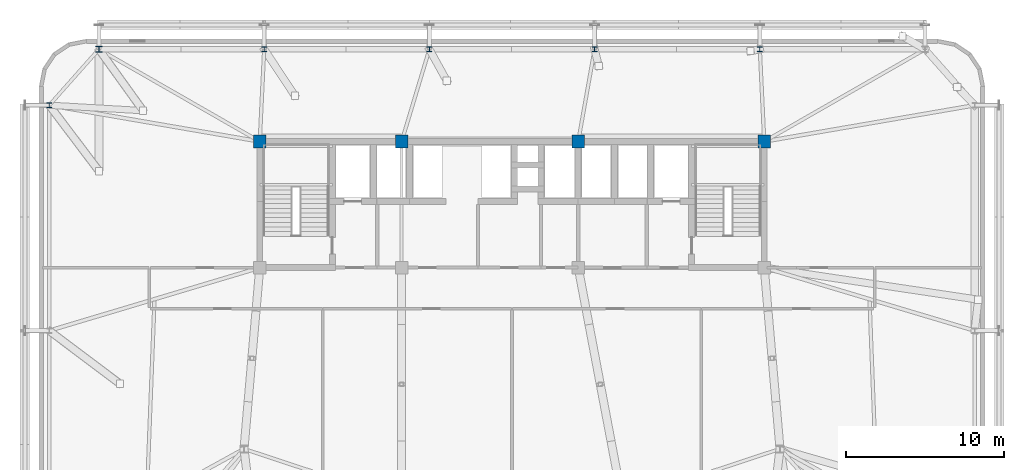
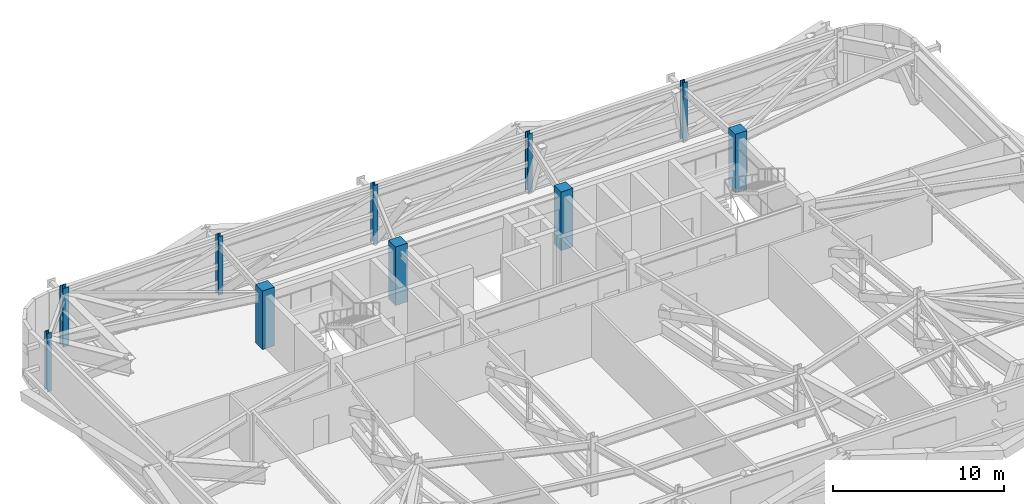
# One storey, part 3 of 24: 10 columns.
"""IFC4 building model written with IfcOpenShell, lengths in metres."""

from ifc_helpers import new_model, si_unit, direction, frame, origin, origin_2d, place, context, subcontext, project, spatial, rectangle, i_section, extrude, source, transform, mapped, material, material_profile, profile_set, type_object, element, save


model = new_model("IFC4")

# Units and contexts
model_context = context("Model", 3, precision=1e-05, world=origin(), true_north=direction((0.0, 1.0)))
body_context = subcontext(model_context, "Body", "Model", "MODEL_VIEW")
ifc_project = project(units=[si_unit("LENGTHUNIT", "METRE"), si_unit("AREAUNIT", "SQUARE_METRE"), si_unit("VOLUMEUNIT", "CUBIC_METRE"), si_unit("PLANEANGLEUNIT", "RADIAN"), si_unit("MASSUNIT", "GRAM", prefix="KILO")], contexts=[model_context])

# Site, building, storey
site_placement = place(None, origin())
site = spatial("IfcSite", under=ifc_project, at=site_placement, CompositionType="ELEMENT")
building_placement = place(site_placement, origin())
building = spatial("IfcBuilding", under=site, at=building_placement, Name="Taldren Reach Tower", CompositionType="ELEMENT")
storey_placement = place(building_placement, frame((0.0, 0.0, 60.89990234375)))
storey = spatial("IfcBuildingStorey", under=building, at=storey_placement, Name="L18", CompositionType="ELEMENT", Elevation=60.89990234375)

# Columns
ifc_material_1 = material(Name="Concrete S65 (65 MPa)", Category="concrete")
ifc_material_profile_1 = material_profile(ifc_material_1, rectangle(XDim=0.800048828125, YDim=0.800048828125, at=origin_2d()), Name="RC-800x800")
ifc_profile_set_1 = profile_set([ifc_material_profile_1], Name="Concrete S65 (65 MPa)")
column_type_1 = type_object("IfcColumnType", Name="COL-RC800", PredefinedType="COLUMN", material=ifc_profile_set_1)
shared_shape_1 = source(origin(), body_context, "Body", "SweptSolid", [
    extrude(rectangle(XDim=0.800048828125, YDim=0.800048828125, at=origin_2d()), origin(), (0.0, 0.0, 1.0), 4.2001953125),
])
for number, where, z_axis, x_axis, name in (
    (1, (19.0, 32.0, 0.0), (0.0, 0.0, 1.0), (1.0, 0.0, 0.0), "Mega column MC-C5 L18"),
    (2, (28.0, 32.0, 0.0), (0.0, 0.0, 1.0), (1.0, 0.0, 0.0), "Mega column MC-C6 L18"),
    (3, (39.199951171875, 32.0, 0.0), (0.0, 0.0, 1.0), (1.0, 0.0, 0.0), "Mega column MC-C7 L18"),
    (4, (51.0, 32.0, 0.0), (0.0, 0.0, 1.0), (1.0, 0.0, 0.0), "Mega column MC-C8 L18"),
):
    element("IfcColumn", number, at=place(storey_placement, frame(where, z_axis=z_axis, x_axis=x_axis)), inside=storey, type_object=column_type_1, Name=name, PredefinedType="COLUMN", context=body_context, shape_type="MappedRepresentation", body=[
        mapped(shared_shape_1, transform((0.0, 0.0, 0.0), scale=1.0)),
    ])
ifc_material_2 = material(Name="Steel Gr 350 (350PLUS)", Category="steel")
ifc_material_profile_2 = material_profile(ifc_material_2, i_section(OverallWidth=0.39990234375, OverallDepth=0.39599609375, WebThickness=0.02197265625, FlangeThickness=0.033935546875, at=origin_2d()), Name="400WC270")
ifc_profile_set_2 = profile_set([ifc_material_profile_2], Name="Steel Gr 350 (350PLUS)")
column_type_2 = type_object("IfcColumnType", Name="COL-WC400", PredefinedType="COLUMN", material=ifc_profile_set_2)
shared_shape_2 = source(origin(), body_context, "Body", "SweptSolid", [
    extrude(i_section(OverallWidth=0.39990234375, OverallDepth=0.39599609375, WebThickness=0.02197265625, FlangeThickness=0.033935546875, at=origin_2d()), origin(), (0.0, 0.0, 1.0), 4.2001953125),
])
column_placement = place(storey_placement, frame((8.800048828125, 37.85009765625, 0.0), z_axis=(0.0, 0.0, 1.0), x_axis=(1.0, 0.0, 0.0)))
element("IfcColumn", 5, at=column_placement, inside=storey, type_object=column_type_2, Name="Block B1 perimeter column N1 L18", PredefinedType="COLUMN", context=body_context, shape_type="MappedRepresentation", body=[
    mapped(shared_shape_2, transform((0.0, 0.0, 0.0), scale=1.0)),
])
ifc_material_profile_3 = material_profile(ifc_material_2, i_section(OverallWidth=0.31103515625, OverallDepth=0.326904296875, WebThickness=0.015625, FlangeThickness=0.02490234375, at=origin_2d()), Name="310UC158")
ifc_profile_set_3 = profile_set([ifc_material_profile_3], Name="Steel Gr 350 (350PLUS)")
column_type_3 = type_object("IfcColumnType", Name="COL-UC310A", PredefinedType="COLUMN", material=ifc_profile_set_3)
shared_shape_3 = source(origin(), body_context, "Body", "SweptSolid", [
    extrude(i_section(OverallWidth=0.31103515625, OverallDepth=0.326904296875, WebThickness=0.015625, FlangeThickness=0.02490234375, at=origin_2d()), origin(), (0.0, 0.0, 1.0), 4.2001953125),
])
for number, where, z_axis, x_axis, name in (
    (6, (19.280029296875, 37.85009765625, 0.0), (0.0, 0.0, 1.0), (1.0, 0.0, 0.0), "Block B1 perimeter column N2 L18"),
    (7, (29.760009765625, 37.85009765625, 0.0), (0.0, 0.0, 1.0), (1.0, 0.0, 0.0), "Block B1 perimeter column N3 L18"),
    (8, (40.239990234375, 37.85009765625, 0.0), (0.0, 0.0, 1.0), (1.0, 0.0, 0.0), "Block B1 perimeter column N4 L18"),
    (9, (50.719970703125, 37.85009765625, 0.0), (0.0, 0.0, 1.0), (1.0, 0.0, 0.0), "Block B1 perimeter column N5 L18"),
    (10, (5.64990234375, 34.300048828125, 0.0), (0.0, 0.0, 1.0), (1.0, 0.0, 0.0), "Block B1 perimeter column W3 L18"),
):
    element("IfcColumn", number, at=place(storey_placement, frame(where, z_axis=z_axis, x_axis=x_axis)), inside=storey, type_object=column_type_3, Name=name, PredefinedType="COLUMN", context=body_context, shape_type="MappedRepresentation", body=[
        mapped(shared_shape_3, transform((0.0, 0.0, 0.0), scale=1.0)),
    ])

save(model, "model.ifc")
